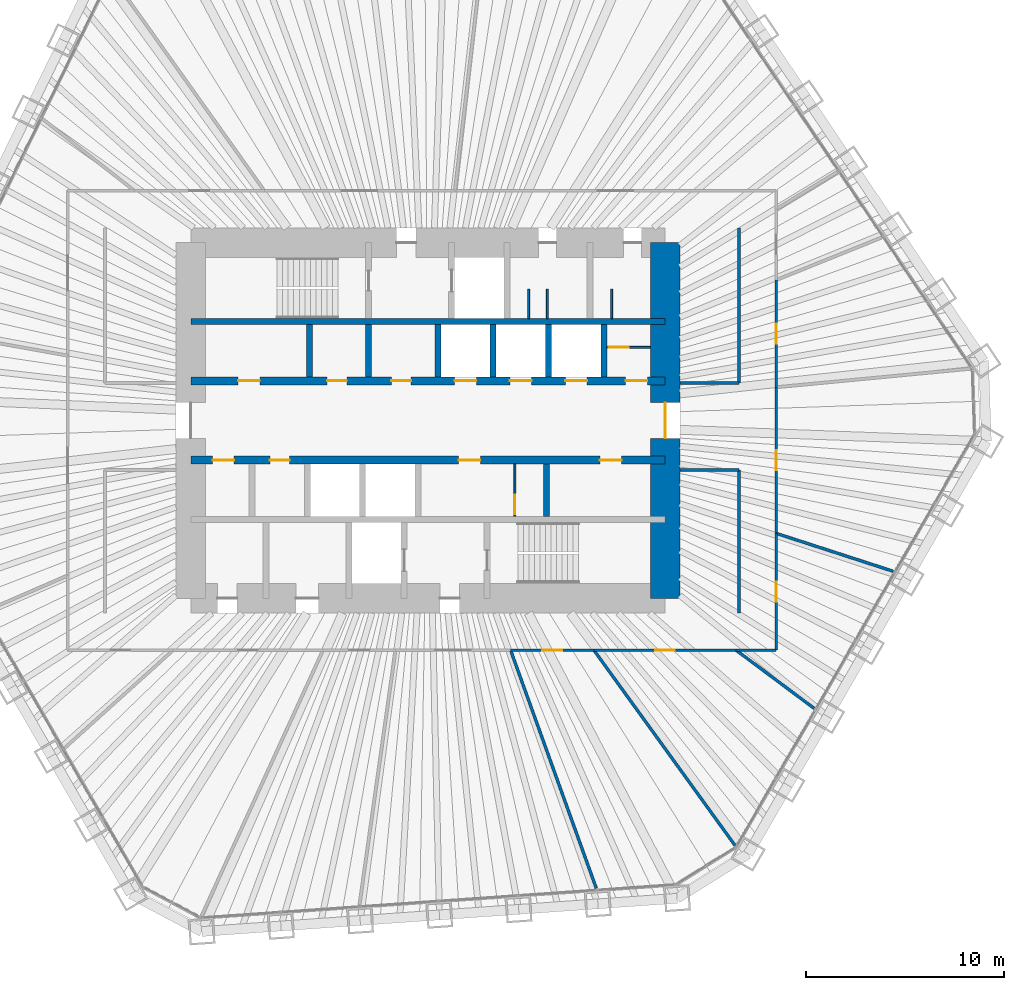
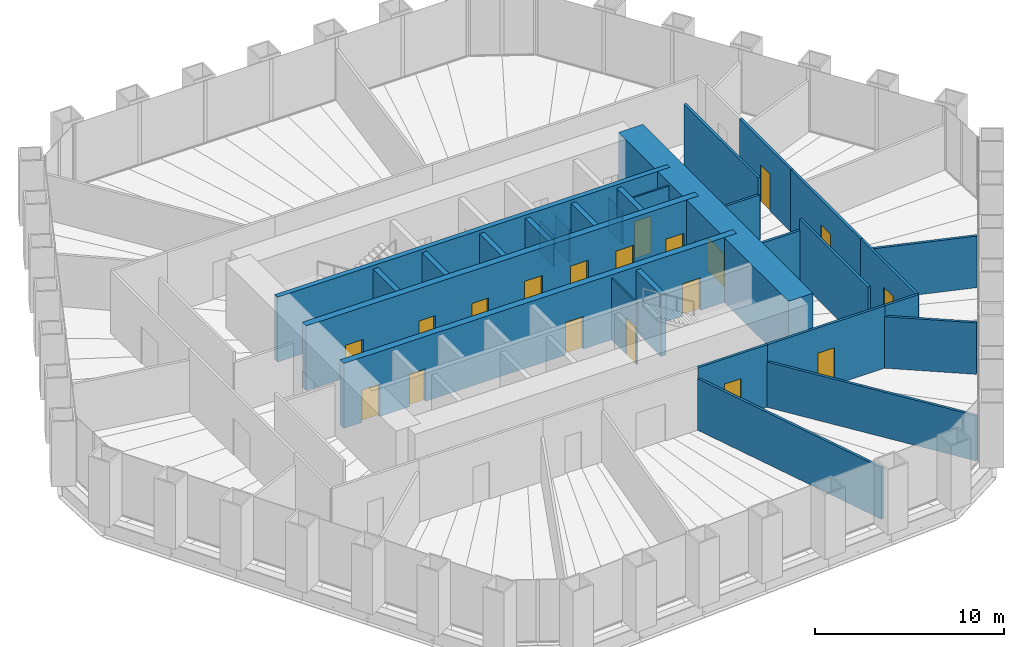
# One storey, part 11 of 13: 30 walls, 19 doors, 19 openings.
"""IFC4 building model written with IfcOpenShell, lengths in metres."""

from ifc_helpers import new_model, si_unit, direction, frame, frame_2d, origin, place, context, subcontext, project, spatial, rectangle, extrude, material, layer, layer_set, type_object, element, fill, save


model = new_model("IFC4")

# Units and contexts
model_context = context("Model", 3, precision=1e-05, world=origin(), true_north=direction((0.0, 1.0)))
body_context = subcontext(model_context, "Body", "Model", "MODEL_VIEW")
ifc_project = project(units=[si_unit("LENGTHUNIT", "METRE"), si_unit("AREAUNIT", "SQUARE_METRE"), si_unit("VOLUMEUNIT", "CUBIC_METRE"), si_unit("PLANEANGLEUNIT", "RADIAN"), si_unit("MASSUNIT", "GRAM", prefix="KILO")], contexts=[model_context])

# Site, building, storey
site_placement = place(None, origin())
site = spatial("IfcSite", under=ifc_project, at=site_placement, CompositionType="ELEMENT")
building_placement = place(site_placement, origin())
building = spatial("IfcBuilding", under=site, at=building_placement, Name="Qingtian Harvest Tower", CompositionType="ELEMENT")
storey_placement = place(building_placement, frame((0.0, 0.0, 128.199951171875)))
storey = spatial("IfcBuildingStorey", under=building, at=storey_placement, Name="L26", CompositionType="ELEMENT", Elevation=128.199951171875)

# Wall
ifc_material_1 = material(Name="Concrete fc' 70 MPa", Category="concrete")
ifc_layer_1 = layer(ifc_material_1, 0.300048828125)
ifc_layer_set_1 = layer_set([ifc_layer_1], Name="Core inner wall RC5 300")
wall_type_1 = type_object("IfcWallType", Name="Core inner wall RC5 300", PredefinedType="SHEAR", material=ifc_layer_set_1)
wall_1_placement = place(storey_placement, frame((-12.0, 5.0, 0.0), z_axis=(0.0, 0.0, 1.0), x_axis=(1.0, 0.0, 0.0)))
element("IfcWall", 1, at=wall_1_placement, inside=storey, type_object=wall_type_1, Name="Core wall IN5 L26", PredefinedType="SHEAR", context=body_context, shape_type="SweptSolid", body=[
    extrude(rectangle(XDim=24.0, YDim=0.300048828125, at=frame_2d((12.0, 0.0))), origin(), (0.0, 0.0, 1.0), 4.199951171875),
])

# Wall, openings, doors
ifc_material_2 = material(Name="Concrete fc' 70 MPa", Category="concrete")
ifc_layer_2 = layer(ifc_material_2, 0.39990234375)
ifc_layer_set_2 = layer_set([ifc_layer_2], Name="Core inner web RC6 400")
wall_type_2 = type_object("IfcWallType", Name="Core inner web RC6 400", PredefinedType="SHEAR", material=ifc_layer_set_2)
wall_2_placement = place(storey_placement, frame((-12.0, 2.0, 0.0), z_axis=(0.0, 0.0, 1.0), x_axis=(1.0, 0.0, 0.0)))
wall_2 = element("IfcWall", 2, at=wall_2_placement, inside=storey, type_object=wall_type_2, Name="Core wall IN2 L26", PredefinedType="SHEAR", context=body_context, shape_type="SweptSolid", body=[
    extrude(rectangle(XDim=24.0, YDim=0.39990234375, at=frame_2d((12.0, 0.0))), origin(), (0.0, 0.0, 1.0), 4.199951171875),
])
opening_1_placement = place(wall_2_placement, frame((2.39990234375, 0.0, 0.0)))
opening_1 = element("IfcOpeningElement", 3, at=opening_1_placement, cuts=wall_2, Name="Opening FD4", PredefinedType="OPENING", context=body_context, shape_type="SweptSolid", body=[
    extrude(rectangle(XDim=1.10009765625, YDim=2.10009765625, at=frame_2d((0.550048828125, 1.050048828125))), frame((0.0, 0.2099609375, 0.0), z_axis=(0.0, -1.0, 0.0), x_axis=(1.0, 0.0, 0.0)), (0.0, 0.0, 1.0), 0.419921875),
])
opening_2_placement = place(wall_2_placement, frame((22.0, 0.0, 0.0)))
opening_2 = element("IfcOpeningElement", 4, at=opening_2_placement, cuts=wall_2, Name="Opening FD4", PredefinedType="OPENING", context=body_context, shape_type="SweptSolid", body=[
    extrude(rectangle(XDim=1.10009765625, YDim=2.10009765625, at=frame_2d((0.550048828125, 1.050048828125))), frame((0.0, 0.2099609375, 0.0), z_axis=(0.0, -1.0, 0.0), x_axis=(1.0, 0.0, 0.0)), (0.0, 0.0, 1.0), 0.419921875),
])
opening_3_placement = place(wall_2_placement, frame((10.14990234375, 0.0, 0.0)))
opening_3 = element("IfcOpeningElement", 5, at=opening_3_placement, cuts=wall_2, Name="Opening FD1", PredefinedType="OPENING", context=body_context, shape_type="SweptSolid", body=[
    extrude(rectangle(XDim=1.0, YDim=2.10009765625, at=frame_2d((0.5, 1.050048828125))), frame((0.0, 0.2099609375, 0.0), z_axis=(0.0, -1.0, 0.0), x_axis=(1.0, 0.0, 0.0)), (0.0, 0.0, 1.0), 0.419921875),
])
opening_4_placement = place(wall_2_placement, frame((6.89990234375, 0.0, 0.0)))
opening_4 = element("IfcOpeningElement", 6, at=opening_4_placement, cuts=wall_2, Name="Opening FD1", PredefinedType="OPENING", context=body_context, shape_type="SweptSolid", body=[
    extrude(rectangle(XDim=1.0, YDim=2.10009765625, at=frame_2d((0.5, 1.050048828125))), frame((0.0, 0.2099609375, 0.0), z_axis=(0.0, -1.0, 0.0), x_axis=(1.0, 0.0, 0.0)), (0.0, 0.0, 1.0), 0.419921875),
])
opening_5_placement = place(wall_2_placement, frame((13.35009765625, 0.0, 0.0)))
opening_5 = element("IfcOpeningElement", 7, at=opening_5_placement, cuts=wall_2, Name="Opening LD1", PredefinedType="OPENING", context=body_context, shape_type="SweptSolid", body=[
    extrude(rectangle(XDim=1.10009765625, YDim=2.39990234375, at=frame_2d((0.550048828125, 1.199951171875))), frame((0.0, 0.2099609375, 0.0), z_axis=(0.0, -1.0, 0.0), x_axis=(1.0, 0.0, 0.0)), (0.0, 0.0, 1.0), 0.419921875),
])
opening_6_placement = place(wall_2_placement, frame((16.14990234375, 0.0, 0.0)))
opening_6 = element("IfcOpeningElement", 8, at=opening_6_placement, cuts=wall_2, Name="Opening LD1", PredefinedType="OPENING", context=body_context, shape_type="SweptSolid", body=[
    extrude(rectangle(XDim=1.10009765625, YDim=2.39990234375, at=frame_2d((0.550048828125, 1.199951171875))), frame((0.0, 0.2099609375, 0.0), z_axis=(0.0, -1.0, 0.0), x_axis=(1.0, 0.0, 0.0)), (0.0, 0.0, 1.0), 0.419921875),
])
opening_7_placement = place(wall_2_placement, frame((18.949951171875, 0.0, 0.0)))
opening_7 = element("IfcOpeningElement", 9, at=opening_7_placement, cuts=wall_2, Name="Opening LD1", PredefinedType="OPENING", context=body_context, shape_type="SweptSolid", body=[
    extrude(rectangle(XDim=1.10009765625, YDim=2.39990234375, at=frame_2d((0.550048828125, 1.199951171875))), frame((0.0, 0.2099609375, 0.0), z_axis=(0.0, -1.0, 0.0), x_axis=(1.0, 0.0, 0.0)), (0.0, 0.0, 1.0), 0.419921875),
])
ifc_material_3 = material(Name="Steel-faced door leaf", Category="steel")
door_type_1 = type_object("IfcDoorType", Name="Fire door FD1 single 1 HR", OperationType="SINGLE_SWING_LEFT", PredefinedType="DOOR", material=ifc_material_3)
door_1_placement = place(opening_3_placement, origin())
door_1 = element("IfcDoor", 10, at=door_1_placement, inside=storey, type_object=door_type_1, Name="STA door L26", OperationType="SINGLE_SWING_LEFT", OverallHeight=2.10009765625, OverallWidth=1.0, PredefinedType="DOOR", context=body_context, shape_type="SweptSolid", body=[
    extrude(rectangle(XDim=1.0, YDim=2.10009765625, at=frame_2d((0.5, 1.050048828125))), frame((0.0, 0.02490234375, 0.0), z_axis=(0.0, -1.0, 0.0), x_axis=(1.0, 0.0, 0.0)), (0.0, 0.0, 1.0), 0.050048828125),
])
fill(opening_3, door_1)
door_2_placement = place(opening_4_placement, origin())
door_2 = element("IfcDoor", 11, at=door_2_placement, inside=storey, type_object=door_type_1, Name="Pantry door L26", OperationType="SINGLE_SWING_RIGHT", OverallHeight=2.10009765625, OverallWidth=1.0, PredefinedType="DOOR", context=body_context, shape_type="SweptSolid", body=[
    extrude(rectangle(XDim=1.0, YDim=2.10009765625, at=frame_2d((0.5, 1.050048828125))), frame((0.0, 0.02490234375, 0.0), z_axis=(0.0, -1.0, 0.0), x_axis=(1.0, 0.0, 0.0)), (0.0, 0.0, 1.0), 0.050048828125),
])
fill(opening_4, door_2)
ifc_material_4 = material(Name="Steel-faced door leaf", Category="steel")
door_type_2 = type_object("IfcDoorType", Name="Fire door FD4 single 2 HR", OperationType="SINGLE_SWING_LEFT", PredefinedType="DOOR", material=ifc_material_4)
door_3_placement = place(opening_1_placement, origin())
door_3 = element("IfcDoor", 12, at=door_3_placement, inside=storey, type_object=door_type_2, Name="RA door L26", OperationType="SINGLE_SWING_LEFT", OverallHeight=2.10009765625, OverallWidth=1.10009765625, PredefinedType="DOOR", context=body_context, shape_type="SweptSolid", body=[
    extrude(rectangle(XDim=1.10009765625, YDim=2.10009765625, at=frame_2d((0.550048828125, 1.050048828125))), frame((0.0, 0.02490234375, 0.0), z_axis=(0.0, -1.0, 0.0), x_axis=(1.0, 0.0, 0.0)), (0.0, 0.0, 1.0), 0.050048828125),
])
fill(opening_1, door_3)
door_4_placement = place(opening_2_placement, origin())
door_4 = element("IfcDoor", 13, at=door_4_placement, inside=storey, type_object=door_type_2, Name="AHU door L26", OperationType="SINGLE_SWING_RIGHT", OverallHeight=2.10009765625, OverallWidth=1.10009765625, PredefinedType="DOOR", context=body_context, shape_type="SweptSolid", body=[
    extrude(rectangle(XDim=1.10009765625, YDim=2.10009765625, at=frame_2d((0.550048828125, 1.050048828125))), frame((0.0, 0.02490234375, 0.0), z_axis=(0.0, -1.0, 0.0), x_axis=(1.0, 0.0, 0.0)), (0.0, 0.0, 1.0), 0.050048828125),
])
fill(opening_2, door_4)
ifc_material_5 = material(Name="Stainless steel lift landing door", Category="steel")
door_type_3 = type_object("IfcDoorType", Name="Lift landing door LD1 1 HR", OperationType="DOUBLE_DOOR_SLIDING", PredefinedType="DOOR", material=ifc_material_5)
door_5_placement = place(opening_5_placement, origin())
door_5 = element("IfcDoor", 14, at=door_5_placement, inside=storey, type_object=door_type_3, Name="PLB1 landing door L26", OperationType="DOUBLE_DOOR_SLIDING", OverallHeight=2.39990234375, OverallWidth=1.10009765625, PredefinedType="DOOR", context=body_context, shape_type="SweptSolid", body=[
    extrude(rectangle(XDim=1.10009765625, YDim=2.39990234375, at=frame_2d((0.550048828125, 1.199951171875))), frame((0.0, 0.02490234375, 0.0), z_axis=(0.0, -1.0, 0.0), x_axis=(1.0, 0.0, 0.0)), (0.0, 0.0, 1.0), 0.050048828125),
])
fill(opening_5, door_5)
door_6_placement = place(opening_6_placement, origin())
door_6 = element("IfcDoor", 15, at=door_6_placement, inside=storey, type_object=door_type_3, Name="PLB2 landing door L26", OperationType="DOUBLE_DOOR_SLIDING", OverallHeight=2.39990234375, OverallWidth=1.10009765625, PredefinedType="DOOR", context=body_context, shape_type="SweptSolid", body=[
    extrude(rectangle(XDim=1.10009765625, YDim=2.39990234375, at=frame_2d((0.550048828125, 1.199951171875))), frame((0.0, 0.02490234375, 0.0), z_axis=(0.0, -1.0, 0.0), x_axis=(1.0, 0.0, 0.0)), (0.0, 0.0, 1.0), 0.050048828125),
])
fill(opening_6, door_6)
door_7_placement = place(opening_7_placement, origin())
door_7 = element("IfcDoor", 16, at=door_7_placement, inside=storey, type_object=door_type_3, Name="PLB3 landing door L26", OperationType="DOUBLE_DOOR_SLIDING", OverallHeight=2.39990234375, OverallWidth=1.10009765625, PredefinedType="DOOR", context=body_context, shape_type="SweptSolid", body=[
    extrude(rectangle(XDim=1.10009765625, YDim=2.39990234375, at=frame_2d((0.550048828125, 1.199951171875))), frame((0.0, 0.02490234375, 0.0), z_axis=(0.0, -1.0, 0.0), x_axis=(1.0, 0.0, 0.0)), (0.0, 0.0, 1.0), 0.050048828125),
])
fill(opening_7, door_7)

wall_3_placement = place(storey_placement, frame((-12.0, -2.0, 0.0), z_axis=(0.0, 0.0, 1.0), x_axis=(1.0, 0.0, 0.0)))
wall_3 = element("IfcWall", 17, at=wall_3_placement, inside=storey, type_object=wall_type_2, Name="Core wall IS2 L26", PredefinedType="SHEAR", context=body_context, shape_type="SweptSolid", body=[
    extrude(rectangle(XDim=24.0, YDim=0.39990234375, at=frame_2d((12.0, 0.0))), origin(), (0.0, 0.0, 1.0), 4.199951171875),
])
opening_8_placement = place(wall_3_placement, frame((1.10009765625, 0.0, 0.0)))
opening_8 = element("IfcOpeningElement", 18, at=opening_8_placement, cuts=wall_3, Name="Opening FD4", PredefinedType="OPENING", context=body_context, shape_type="SweptSolid", body=[
    extrude(rectangle(XDim=1.10009765625, YDim=2.10009765625, at=frame_2d((0.550048828125, 1.050048828125))), frame((0.0, 0.2099609375, 0.0), z_axis=(0.0, -1.0, 0.0), x_axis=(1.0, 0.0, 0.0)), (0.0, 0.0, 1.0), 0.419921875),
])
opening_9_placement = place(wall_3_placement, frame((13.550048828125, 0.0, 0.0)))
opening_9 = element("IfcOpeningElement", 19, at=opening_9_placement, cuts=wall_3, Name="Opening FD4", PredefinedType="OPENING", context=body_context, shape_type="SweptSolid", body=[
    extrude(rectangle(XDim=1.10009765625, YDim=2.10009765625, at=frame_2d((0.550048828125, 1.050048828125))), frame((0.0, 0.2099609375, 0.0), z_axis=(0.0, -1.0, 0.0), x_axis=(1.0, 0.0, 0.0)), (0.0, 0.0, 1.0), 0.419921875),
])
opening_10_placement = place(wall_3_placement, frame((20.699951171875, 0.0, 0.0)))
opening_10 = element("IfcOpeningElement", 20, at=opening_10_placement, cuts=wall_3, Name="Opening FD4", PredefinedType="OPENING", context=body_context, shape_type="SweptSolid", body=[
    extrude(rectangle(XDim=1.10009765625, YDim=2.10009765625, at=frame_2d((0.550048828125, 1.050048828125))), frame((0.0, 0.2099609375, 0.0), z_axis=(0.0, -1.0, 0.0), x_axis=(1.0, 0.0, 0.0)), (0.0, 0.0, 1.0), 0.419921875),
])
opening_11_placement = place(wall_3_placement, frame((4.0, 0.0, 0.0)))
opening_11 = element("IfcOpeningElement", 21, at=opening_11_placement, cuts=wall_3, Name="Opening FD1", PredefinedType="OPENING", context=body_context, shape_type="SweptSolid", body=[
    extrude(rectangle(XDim=1.0, YDim=2.10009765625, at=frame_2d((0.5, 1.050048828125))), frame((0.0, 0.2099609375, 0.0), z_axis=(0.0, -1.0, 0.0), x_axis=(1.0, 0.0, 0.0)), (0.0, 0.0, 1.0), 0.419921875),
])
door_8_placement = place(opening_11_placement, origin())
door_8 = element("IfcDoor", 22, at=door_8_placement, inside=storey, type_object=door_type_1, Name="Archive store door L26", OperationType="SINGLE_SWING_RIGHT", OverallHeight=2.10009765625, OverallWidth=1.0, PredefinedType="DOOR", context=body_context, shape_type="SweptSolid", body=[
    extrude(rectangle(XDim=1.0, YDim=2.10009765625, at=frame_2d((0.5, 1.050048828125))), frame((0.0, 0.02490234375, 0.0), z_axis=(0.0, -1.0, 0.0), x_axis=(1.0, 0.0, 0.0)), (0.0, 0.0, 1.0), 0.050048828125),
])
fill(opening_11, door_8)
door_9_placement = place(opening_8_placement, origin())
door_9 = element("IfcDoor", 23, at=door_9_placement, inside=storey, type_object=door_type_2, Name="RB door L26", OperationType="SINGLE_SWING_LEFT", OverallHeight=2.10009765625, OverallWidth=1.10009765625, PredefinedType="DOOR", context=body_context, shape_type="SweptSolid", body=[
    extrude(rectangle(XDim=1.10009765625, YDim=2.10009765625, at=frame_2d((0.550048828125, 1.050048828125))), frame((0.0, 0.02490234375, 0.0), z_axis=(0.0, -1.0, 0.0), x_axis=(1.0, 0.0, 0.0)), (0.0, 0.0, 1.0), 0.050048828125),
])
fill(opening_8, door_9)
door_10_placement = place(opening_9_placement, origin())
door_10 = element("IfcDoor", 24, at=door_10_placement, inside=storey, type_object=door_type_2, Name="ELEC door L26", OperationType="SINGLE_SWING_RIGHT", OverallHeight=2.10009765625, OverallWidth=1.10009765625, PredefinedType="DOOR", context=body_context, shape_type="SweptSolid", body=[
    extrude(rectangle(XDim=1.10009765625, YDim=2.10009765625, at=frame_2d((0.550048828125, 1.050048828125))), frame((0.0, 0.02490234375, 0.0), z_axis=(0.0, -1.0, 0.0), x_axis=(1.0, 0.0, 0.0)), (0.0, 0.0, 1.0), 0.050048828125),
])
fill(opening_9, door_10)
door_11_placement = place(opening_10_placement, origin())
door_11 = element("IfcDoor", 25, at=door_11_placement, inside=storey, type_object=door_type_2, Name="DUCT door L26", OperationType="SINGLE_SWING_LEFT", OverallHeight=2.10009765625, OverallWidth=1.10009765625, PredefinedType="DOOR", context=body_context, shape_type="SweptSolid", body=[
    extrude(rectangle(XDim=1.10009765625, YDim=2.10009765625, at=frame_2d((0.550048828125, 1.050048828125))), frame((0.0, 0.02490234375, 0.0), z_axis=(0.0, -1.0, 0.0), x_axis=(1.0, 0.0, 0.0)), (0.0, 0.0, 1.0), 0.050048828125),
])
fill(opening_10, door_11)

# Walls
ifc_material_6 = material(Name="Precast concrete shaft panel", Category="concrete")
ifc_layer_3 = layer(ifc_material_6, 0.300048828125)
ifc_layer_set_3 = layer_set([ifc_layer_3], Name="Core shaft partition SW1 300")
wall_type_3 = type_object("IfcWallType", Name="Core shaft partition SW1 300", PredefinedType="PARTITIONING", material=ifc_layer_set_3)
for number, where, z_axis, x_axis, name in (
    (26, (-6.0, 2.199951171875, 0.0), (0.0, 0.0, 1.0), (0.0, 1.0, 0.0), "Core shaft partition XA1 L26"),
    (27, (-3.0, 2.199951171875, 0.0), (0.0, 0.0, 1.0), (0.0, 1.0, 0.0), "Core shaft partition XA2 L26"),
    (28, (0.5, 2.199951171875, 0.0), (0.0, 0.0, 1.0), (0.0, 1.0, 0.0), "Core shaft partition XA3 L26"),
    (29, (3.300048828125, 2.199951171875, 0.0), (0.0, 0.0, 1.0), (0.0, 1.0, 0.0), "Core shaft partition XA4 L26"),
    (30, (6.10009765625, 2.199951171875, 0.0), (0.0, 0.0, 1.0), (0.0, 1.0, 0.0), "Core shaft partition XA5 L26"),
    (31, (8.89990234375, 2.199951171875, 0.0), (0.0, 0.0, 1.0), (0.0, 1.0, 0.0), "Core shaft partition XA6 L26"),
    (32, (6.0, -4.85009765625, 0.0), (0.0, 0.0, 1.0), (0.0, 1.0, 0.0), "Core shaft partition XB5 L26"),
):
    element("IfcWall", number, at=place(storey_placement, frame(where, z_axis=z_axis, x_axis=x_axis)), inside=storey, type_object=wall_type_3, Name=name, PredefinedType="PARTITIONING", context=body_context, shape_type="SweptSolid", body=[
        extrude(rectangle(XDim=2.650146484375, YDim=0.300048828125, at=frame_2d((1.3251953125, 0.0))), origin(), (0.0, 0.0, 1.0), 3.97998046875),
    ])

# Wall, opening, door
ifc_material_7 = material(Name="Concrete fc' 70 MPa", Category="concrete")
ifc_layer_4 = layer(ifc_material_7, 1.5)
ifc_layer_set_4 = layer_set([ifc_layer_4], Name="Core wall RC1 1500")
wall_type_4 = type_object("IfcWallType", Name="Core wall RC1 1500", PredefinedType="SHEAR", material=ifc_layer_set_4)
wall_4_placement = place(storey_placement, frame((12.0, -9.0, 0.0), z_axis=(0.0, 0.0, 1.0), x_axis=(0.0, 1.0, 0.0)))
wall_4 = element("IfcWall", 33, at=wall_4_placement, inside=storey, type_object=wall_type_4, Name="Core wall CE L26", PredefinedType="SHEAR", context=body_context, shape_type="SweptSolid", body=[
    extrude(rectangle(XDim=18.0, YDim=1.5, at=frame_2d((9.0, 0.0))), origin(), (0.0, 0.0, 1.0), 4.199951171875),
])
opening_12_placement = place(wall_4_placement, frame((8.10009765625, 0.0, 0.0)))
opening_12 = element("IfcOpeningElement", 34, at=opening_12_placement, cuts=wall_4, Name="Opening FD2", PredefinedType="OPENING", context=body_context, shape_type="SweptSolid", body=[
    extrude(rectangle(XDim=1.800048828125, YDim=2.10009765625, at=frame_2d((0.89990234375, 1.050048828125))), frame((0.0, 0.760009765625, 0.0), z_axis=(0.0, -1.0, 0.0), x_axis=(1.0, 0.0, 0.0)), (0.0, 0.0, 1.0), 1.52001953125),
])
ifc_material_8 = material(Name="Steel-faced door leaf", Category="steel")
door_type_4 = type_object("IfcDoorType", Name="Fire door FD2 double 1 HR", OperationType="DOUBLE_DOOR_DOUBLE_SWING", PredefinedType="DOOR", material=ifc_material_8)
door_12_placement = place(opening_12_placement, origin())
door_12 = element("IfcDoor", 35, at=door_12_placement, inside=storey, type_object=door_type_4, Name="LOBBY-E door L26", OperationType="DOUBLE_DOOR_DOUBLE_SWING", OverallHeight=2.10009765625, OverallWidth=1.800048828125, PredefinedType="DOOR", context=body_context, shape_type="SweptSolid", body=[
    extrude(rectangle(XDim=1.800048828125, YDim=2.10009765625, at=frame_2d((0.89990234375, 1.050048828125))), frame((0.0, 0.02490234375, 0.0), z_axis=(0.0, -1.0, 0.0), x_axis=(1.0, 0.0, 0.0)), (0.0, 0.0, 1.0), 0.050048828125),
])
fill(opening_12, door_12)

ifc_material_9 = material(Name="Gypsum board on steel studs", Category="steel")
ifc_layer_5 = layer(ifc_material_9, 0.14990234375)
ifc_layer_set_5 = layer_set([ifc_layer_5], Name="Partition PT1 150")
wall_type_5 = type_object("IfcWallType", Name="Partition PT1 150", PredefinedType="PARTITIONING", material=ifc_layer_set_5)
wall_5_placement = place(storey_placement, frame((17.625, 7.10595703125, 0.0), z_axis=(0.0, 0.0, 1.0), x_axis=(0.0, -1.0, 0.0)))
wall_5 = element("IfcWall", 36, at=wall_5_placement, inside=storey, type_object=wall_type_5, Name="Pantry wall L26", PredefinedType="PARTITIONING", context=body_context, shape_type="SweptSolid", body=[
    extrude(rectangle(XDim=5.424560546875, YDim=0.14990234375, at=frame_2d((2.71240234375, 0.0))), origin(), (0.0, 0.0, 1.0), 4.030029296875),
])
opening_13_placement = place(wall_5_placement, frame((2.21240234375, 0.0, 0.0)))
opening_13 = element("IfcOpeningElement", 37, at=opening_13_placement, cuts=wall_5, Name="Opening D2", PredefinedType="OPENING", context=body_context, shape_type="SweptSolid", body=[
    extrude(rectangle(XDim=1.0, YDim=2.39990234375, at=frame_2d((0.5, 1.199951171875))), frame((0.0, 0.0849609375, 0.0), z_axis=(0.0, -1.0, 0.0), x_axis=(1.0, 0.0, 0.0)), (0.0, 0.0, 1.0), 0.169921875),
])
ifc_material_10 = material(Name="Laminated timber door leaf", Category="wood")
door_type_5 = type_object("IfcDoorType", Name="Room door D2 single", OperationType="SINGLE_SWING_LEFT", PredefinedType="DOOR", material=ifc_material_10)
door_13_placement = place(opening_13_placement, origin())
door_13 = element("IfcDoor", 38, at=door_13_placement, inside=storey, type_object=door_type_5, Name="Pantry door L26", OperationType="SINGLE_SWING_RIGHT", OverallHeight=2.39990234375, OverallWidth=1.0, PredefinedType="DOOR", context=body_context, shape_type="SweptSolid", body=[
    extrude(rectangle(XDim=1.0, YDim=2.39990234375, at=frame_2d((0.5, 1.199951171875))), frame((0.0, 0.02490234375, 0.0), z_axis=(0.0, -1.0, 0.0), x_axis=(1.0, 0.0, 0.0)), (0.0, 0.0, 1.0), 0.050048828125),
])
fill(opening_13, door_13)

wall_6_placement = place(storey_placement, frame((17.625, 1.681396484375, 0.0), z_axis=(0.0, 0.0, 1.0), x_axis=(0.0, -1.0, 0.0)))
wall_6 = element("IfcWall", 39, at=wall_6_placement, inside=storey, type_object=wall_type_5, Name="Specimen store wall L26", PredefinedType="PARTITIONING", context=body_context, shape_type="SweptSolid", body=[
    extrude(rectangle(XDim=7.39404296875, YDim=0.14990234375, at=frame_2d((3.697021484375, 0.0))), origin(), (0.0, 0.0, 1.0), 4.030029296875),
])
opening_14_placement = place(wall_6_placement, frame((3.197021484375, 0.0, 0.0)))
opening_14 = element("IfcOpeningElement", 40, at=opening_14_placement, cuts=wall_6, Name="Opening D2", PredefinedType="OPENING", context=body_context, shape_type="SweptSolid", body=[
    extrude(rectangle(XDim=1.0, YDim=2.39990234375, at=frame_2d((0.5, 1.199951171875))), frame((0.0, 0.0849609375, 0.0), z_axis=(0.0, -1.0, 0.0), x_axis=(1.0, 0.0, 0.0)), (0.0, 0.0, 1.0), 0.169921875),
])
door_14_placement = place(opening_14_placement, origin())
door_14 = element("IfcDoor", 41, at=door_14_placement, inside=storey, type_object=door_type_5, Name="Specimen store door L26", OperationType="SINGLE_SWING_RIGHT", OverallHeight=2.39990234375, OverallWidth=1.0, PredefinedType="DOOR", context=body_context, shape_type="SweptSolid", body=[
    extrude(rectangle(XDim=1.0, YDim=2.39990234375, at=frame_2d((0.5, 1.199951171875))), frame((0.0, 0.02490234375, 0.0), z_axis=(0.0, -1.0, 0.0), x_axis=(1.0, 0.0, 0.0)), (0.0, 0.0, 1.0), 0.050048828125),
])
fill(opening_14, door_14)

# Wall
wall_7_placement = place(storey_placement, frame((23.541015625, -7.630126953125, 0.0), z_axis=(0.0, 0.0, 1.0), x_axis=(-0.951280715006, 0.308326128081, 0.0)))
element("IfcWall", 42, at=wall_7_placement, inside=storey, type_object=wall_type_5, Name="Tasting room wall L26", PredefinedType="PARTITIONING", context=body_context, shape_type="SweptSolid", body=[
    extrude(rectangle(XDim=6.218994140625, YDim=0.14990234375, at=frame_2d((3.109375, 0.0))), origin(), (0.0, 0.0, 1.0), 3.330078125),
])

# Wall, opening, door
wall_8_placement = place(storey_placement, frame((17.625, -5.712646484375, 0.0), z_axis=(0.0, 0.0, 1.0), x_axis=(0.0, -1.0, 0.0)))
wall_8 = element("IfcWall", 43, at=wall_8_placement, inside=storey, type_object=wall_type_5, Name="Tasting room wall L26", PredefinedType="PARTITIONING", context=body_context, shape_type="SweptSolid", body=[
    extrude(rectangle(XDim=5.912353515625, YDim=0.14990234375, at=frame_2d((2.9560546875, 0.0))), origin(), (0.0, 0.0, 1.0), 4.030029296875),
])
opening_15_placement = place(wall_8_placement, frame((2.456298828125, 0.0, 0.0)))
opening_15 = element("IfcOpeningElement", 44, at=opening_15_placement, cuts=wall_8, Name="Opening D2", PredefinedType="OPENING", context=body_context, shape_type="SweptSolid", body=[
    extrude(rectangle(XDim=1.0, YDim=2.39990234375, at=frame_2d((0.5, 1.199951171875))), frame((0.0, 0.0849609375, 0.0), z_axis=(0.0, -1.0, 0.0), x_axis=(1.0, 0.0, 0.0)), (0.0, 0.0, 1.0), 0.169921875),
])
door_15_placement = place(opening_15_placement, origin())
door_15 = element("IfcDoor", 45, at=door_15_placement, inside=storey, type_object=door_type_5, Name="Tasting room door L26", OperationType="SINGLE_SWING_LEFT", OverallHeight=2.39990234375, OverallWidth=1.0, PredefinedType="DOOR", context=body_context, shape_type="SweptSolid", body=[
    extrude(rectangle(XDim=1.0, YDim=2.39990234375, at=frame_2d((0.5, 1.199951171875))), frame((0.0, 0.02490234375, 0.0), z_axis=(0.0, -1.0, 0.0), x_axis=(1.0, 0.0, 0.0)), (0.0, 0.0, 1.0), 0.050048828125),
])
fill(opening_15, door_15)

# Walls
wall_9_placement = place(storey_placement, frame((17.625, -11.625, 0.0), z_axis=(0.0, 0.0, 1.0), x_axis=(-1.0, 0.0, 0.0)))
element("IfcWall", 46, at=wall_9_placement, inside=storey, type_object=wall_type_5, Name="Tasting room wall L26", PredefinedType="PARTITIONING", context=body_context, shape_type="SweptSolid", body=[
    extrude(rectangle(XDim=2.02880859375, YDim=0.14990234375, at=frame_2d((1.014404296875, 0.0))), origin(), (0.0, 0.0, 1.0), 4.030029296875),
])
wall_10_placement = place(storey_placement, frame((19.536865234375, -14.562255859375, 0.0), z_axis=(0.0, 0.0, 1.0), x_axis=(-0.801778753003, 0.597620976233, 0.0)))
element("IfcWall", 47, at=wall_10_placement, inside=storey, type_object=wall_type_5, Name="Meeting room wall L26", PredefinedType="PARTITIONING", context=body_context, shape_type="SweptSolid", body=[
    extrude(rectangle(XDim=4.914794921875, YDim=0.14990234375, at=frame_2d((2.45751953125, 0.0))), origin(), (0.0, 0.0, 1.0), 3.330078125),
])

# Wall, opening, door
wall_11_placement = place(storey_placement, frame((15.59619140625, -11.625, 0.0), z_axis=(0.0, 0.0, 1.0), x_axis=(-1.0, 0.0, 0.0)))
wall_11 = element("IfcWall", 48, at=wall_11_placement, inside=storey, type_object=wall_type_5, Name="Meeting room wall L26", PredefinedType="PARTITIONING", context=body_context, shape_type="SweptSolid", body=[
    extrude(rectangle(XDim=7.19482421875, YDim=0.14990234375, at=frame_2d((3.597412109375, 0.0))), origin(), (0.0, 0.0, 1.0), 4.030029296875),
])
opening_16_placement = place(wall_11_placement, frame((3.097412109375, 0.0, 0.0)))
opening_16 = element("IfcOpeningElement", 49, at=opening_16_placement, cuts=wall_11, Name="Opening D2", PredefinedType="OPENING", context=body_context, shape_type="SweptSolid", body=[
    extrude(rectangle(XDim=1.0, YDim=2.39990234375, at=frame_2d((0.5, 1.199951171875))), frame((0.0, 0.0849609375, 0.0), z_axis=(0.0, -1.0, 0.0), x_axis=(1.0, 0.0, 0.0)), (0.0, 0.0, 1.0), 0.169921875),
])
door_16_placement = place(opening_16_placement, origin())
door_16 = element("IfcDoor", 50, at=door_16_placement, inside=storey, type_object=door_type_5, Name="Meeting room door L26", OperationType="SINGLE_SWING_LEFT", OverallHeight=2.39990234375, OverallWidth=1.0, PredefinedType="DOOR", context=body_context, shape_type="SweptSolid", body=[
    extrude(rectangle(XDim=1.0, YDim=2.39990234375, at=frame_2d((0.5, 1.199951171875))), frame((0.0, 0.02490234375, 0.0), z_axis=(0.0, -1.0, 0.0), x_axis=(1.0, 0.0, 0.0)), (0.0, 0.0, 1.0), 0.050048828125),
])
fill(opening_16, door_16)

# Wall
wall_12_placement = place(storey_placement, frame((15.53955078125, -21.50244140625, 0.0), z_axis=(0.0, 0.0, 1.0), x_axis=(-0.585731902034, 0.810504866697, 0.0)))
element("IfcWall", 51, at=wall_12_placement, inside=storey, type_object=wall_type_5, Name="Print room wall L26", PredefinedType="PARTITIONING", context=body_context, shape_type="SweptSolid", body=[
    extrude(rectangle(XDim=12.186767578125, YDim=0.14990234375, at=frame_2d((6.09326171875, 0.0))), origin(), (0.0, 0.0, 1.0), 2.929931640625),
])

# Wall, opening, door
wall_13_placement = place(storey_placement, frame((8.4013671875, -11.625, 0.0), z_axis=(0.0, 0.0, 1.0), x_axis=(-1.0, 0.0, 0.0)))
wall_13 = element("IfcWall", 52, at=wall_13_placement, inside=storey, type_object=wall_type_5, Name="Print room wall L26", PredefinedType="PARTITIONING", context=body_context, shape_type="SweptSolid", body=[
    extrude(rectangle(XDim=4.21728515625, YDim=0.14990234375, at=frame_2d((2.108642578125, 0.0))), origin(), (0.0, 0.0, 1.0), 4.030029296875),
])
opening_17_placement = place(wall_13_placement, frame((1.608642578125, 0.0, 0.0)))
opening_17 = element("IfcOpeningElement", 53, at=opening_17_placement, cuts=wall_13, Name="Opening D2", PredefinedType="OPENING", context=body_context, shape_type="SweptSolid", body=[
    extrude(rectangle(XDim=1.0, YDim=2.39990234375, at=frame_2d((0.5, 1.199951171875))), frame((0.0, 0.0849609375, 0.0), z_axis=(0.0, -1.0, 0.0), x_axis=(1.0, 0.0, 0.0)), (0.0, 0.0, 1.0), 0.169921875),
])
door_17_placement = place(opening_17_placement, origin())
door_17 = element("IfcDoor", 54, at=door_17_placement, inside=storey, type_object=door_type_5, Name="Print room door L26", OperationType="SINGLE_SWING_LEFT", OverallHeight=2.39990234375, OverallWidth=1.0, PredefinedType="DOOR", context=body_context, shape_type="SweptSolid", body=[
    extrude(rectangle(XDim=1.0, YDim=2.39990234375, at=frame_2d((0.5, 1.199951171875))), frame((0.0, 0.02490234375, 0.0), z_axis=(0.0, -1.0, 0.0), x_axis=(1.0, 0.0, 0.0)), (0.0, 0.0, 1.0), 0.050048828125),
])
fill(opening_17, door_17)

# Walls
wall_14_placement = place(storey_placement, frame((8.51806640625, -23.667236328125, 0.0), z_axis=(0.0, 0.0, 1.0), x_axis=(-0.338635030469, 0.940917805198, 0.0)))
element("IfcWall", 55, at=wall_14_placement, inside=storey, type_object=wall_type_5, Name="Meeting room wall L26", PredefinedType="PARTITIONING", context=body_context, shape_type="SweptSolid", body=[
    extrude(rectangle(XDim=12.79833984375, YDim=0.14990234375, at=frame_2d((6.399169921875, 0.0))), origin(), (0.0, 0.0, 1.0), 3.330078125),
])
wall_15_placement = place(storey_placement, frame((15.75, 1.89990234375, 0.0), z_axis=(0.0, 0.0, 1.0), x_axis=(0.0, 1.0, 0.0)))
element("IfcWall", 56, at=wall_15_placement, inside=storey, type_object=wall_type_5, Name="Breakout space wall L26", PredefinedType="PARTITIONING", context=body_context, shape_type="SweptSolid", body=[
    extrude(rectangle(XDim=7.85009765625, YDim=0.14990234375, at=frame_2d((3.925048828125, 0.0))), origin(), (0.0, 0.0, 1.0), 4.030029296875),
])
wall_16_placement = place(storey_placement, frame((12.75, 1.89990234375, 0.0), z_axis=(0.0, 0.0, 1.0), x_axis=(1.0, 0.0, 0.0)))
element("IfcWall", 57, at=wall_16_placement, inside=storey, type_object=wall_type_5, Name="Breakout space wall L26", PredefinedType="PARTITIONING", context=body_context, shape_type="SweptSolid", body=[
    extrude(rectangle(XDim=3.0, YDim=0.14990234375, at=frame_2d((1.5, 0.0))), origin(), (0.0, 0.0, 1.0), 2.929931640625),
])
wall_17_placement = place(storey_placement, frame((15.75, -9.75, 0.0), z_axis=(0.0, 0.0, 1.0), x_axis=(0.0, 1.0, 0.0)))
element("IfcWall", 58, at=wall_17_placement, inside=storey, type_object=wall_type_5, Name="Print area wall L26", PredefinedType="PARTITIONING", context=body_context, shape_type="SweptSolid", body=[
    extrude(rectangle(XDim=7.25, YDim=0.14990234375, at=frame_2d((3.625, 0.0))), origin(), (0.0, 0.0, 1.0), 4.030029296875),
])
wall_18_placement = place(storey_placement, frame((12.75, -2.5, 0.0), z_axis=(0.0, 0.0, 1.0), x_axis=(1.0, 0.0, 0.0)))
element("IfcWall", 59, at=wall_18_placement, inside=storey, type_object=wall_type_5, Name="Print area wall L26", PredefinedType="PARTITIONING", context=body_context, shape_type="SweptSolid", body=[
    extrude(rectangle(XDim=3.0, YDim=0.14990234375, at=frame_2d((1.5, 0.0))), origin(), (0.0, 0.0, 1.0), 3.330078125),
])

# Wall, opening, door
ifc_material_11 = material(Name="Concrete block partition", Category="concrete")
ifc_layer_6 = layer(ifc_material_11, 0.10009765625)
ifc_layer_set_6 = layer_set([ifc_layer_6], Name="Store partition PT3 100")
wall_type_6 = type_object("IfcWallType", Name="Store partition PT3 100", PredefinedType="PARTITIONING", material=ifc_layer_set_6)
wall_19_placement = place(storey_placement, frame((4.39990234375, -4.85009765625, 0.0), z_axis=(0.0, 0.0, 1.0), x_axis=(0.0, 1.0, 0.0)))
wall_19 = element("IfcWall", 60, at=wall_19_placement, inside=storey, type_object=wall_type_6, Name="Comms room wall L26", PredefinedType="PARTITIONING", context=body_context, shape_type="SweptSolid", body=[
    extrude(rectangle(XDim=2.650146484375, YDim=0.10009765625, at=frame_2d((1.3251953125, 0.0))), origin(), (0.0, 0.0, 1.0), 3.97998046875),
])
opening_18_placement = place(wall_19_placement, frame((0.10009765625, 0.0, 0.0)))
opening_18 = element("IfcOpeningElement", 61, at=opening_18_placement, cuts=wall_19, Name="Opening D2", PredefinedType="OPENING", context=body_context, shape_type="SweptSolid", body=[
    extrude(rectangle(XDim=1.0, YDim=2.39990234375, at=frame_2d((0.5, 1.199951171875))), frame((0.0, 0.06005859375, 0.0), z_axis=(0.0, -1.0, 0.0), x_axis=(1.0, 0.0, 0.0)), (0.0, 0.0, 1.0), 0.1201171875),
])
door_18_placement = place(opening_18_placement, origin())
door_18 = element("IfcDoor", 62, at=door_18_placement, inside=storey, type_object=door_type_5, Name="Comms room door L26", OperationType="SINGLE_SWING_LEFT", OverallHeight=2.39990234375, OverallWidth=1.0, PredefinedType="DOOR", context=body_context, shape_type="SweptSolid", body=[
    extrude(rectangle(XDim=1.0, YDim=2.39990234375, at=frame_2d((0.5, 1.199951171875))), frame((0.0, 0.02490234375, 0.0), z_axis=(0.0, -1.0, 0.0), x_axis=(1.0, 0.0, 0.0)), (0.0, 0.0, 1.0), 0.050048828125),
])
fill(opening_18, door_18)

wall_20_placement = place(storey_placement, frame((9.050048828125, 3.699951171875, 0.0), z_axis=(0.0, 0.0, 1.0), x_axis=(1.0, 0.0, 0.0)))
wall_20 = element("IfcWall", 63, at=wall_20_placement, inside=storey, type_object=wall_type_6, Name="Filter plant room wall L26", PredefinedType="PARTITIONING", context=body_context, shape_type="SweptSolid", body=[
    extrude(rectangle(XDim=2.199951171875, YDim=0.10009765625, at=frame_2d((1.10009765625, 0.0))), origin(), (0.0, 0.0, 1.0), 3.97998046875),
])
opening_19_placement = place(wall_20_placement, frame((0.10009765625, 0.0, 0.0)))
opening_19 = element("IfcOpeningElement", 64, at=opening_19_placement, cuts=wall_20, Name="Opening D2", PredefinedType="OPENING", context=body_context, shape_type="SweptSolid", body=[
    extrude(rectangle(XDim=1.0, YDim=2.39990234375, at=frame_2d((0.5, 1.199951171875))), frame((0.0, 0.06005859375, 0.0), z_axis=(0.0, -1.0, 0.0), x_axis=(1.0, 0.0, 0.0)), (0.0, 0.0, 1.0), 0.1201171875),
])
door_19_placement = place(opening_19_placement, origin())
door_19 = element("IfcDoor", 65, at=door_19_placement, inside=storey, type_object=door_type_5, Name="Filter plant room door L26", OperationType="SINGLE_SWING_LEFT", OverallHeight=2.39990234375, OverallWidth=1.0, PredefinedType="DOOR", context=body_context, shape_type="SweptSolid", body=[
    extrude(rectangle(XDim=1.0, YDim=2.39990234375, at=frame_2d((0.5, 1.199951171875))), frame((0.0, 0.02490234375, 0.0), z_axis=(0.0, -1.0, 0.0), x_axis=(1.0, 0.0, 0.0)), (0.0, 0.0, 1.0), 0.050048828125),
])
fill(opening_19, door_19)

# Walls
ifc_material_12 = material(Name="Compact laminate cubicle partition", Category="plastic")
ifc_layer_7 = layer(ifc_material_12, 0.10009765625)
ifc_layer_set_7 = layer_set([ifc_layer_7], Name="WC cubicle partition WP1 100")
wall_type_7 = type_object("IfcWallType", Name="WC cubicle partition WP1 100", PredefinedType="PARTITIONING", material=ifc_layer_set_7)
for number, where, z_axis, x_axis, name in (
    (66, (5.10009765625, 5.14990234375, 0.0), (0.0, 0.0, 1.0), (0.0, 1.0, 0.0), "WC cubicle partition WCM L26"),
    (67, (6.050048828125, 5.14990234375, 0.0), (0.0, 0.0, 1.0), (0.0, 1.0, 0.0), "WC cubicle partition WCM L26"),
    (68, (9.300048828125, 5.14990234375, 0.0), (0.0, 0.0, 1.0), (0.0, 1.0, 0.0), "WC cubicle partition WCF L26"),
):
    element("IfcWall", number, at=place(storey_placement, frame(where, z_axis=z_axis, x_axis=x_axis)), inside=storey, type_object=wall_type_7, Name=name, PredefinedType="PARTITIONING", context=body_context, shape_type="SweptSolid", body=[
        extrude(rectangle(XDim=1.5, YDim=0.10009765625, at=frame_2d((0.75, 0.0))), origin(), (0.0, 0.0, 1.0), 2.10009765625),
    ])

save(model, "model.ifc")
